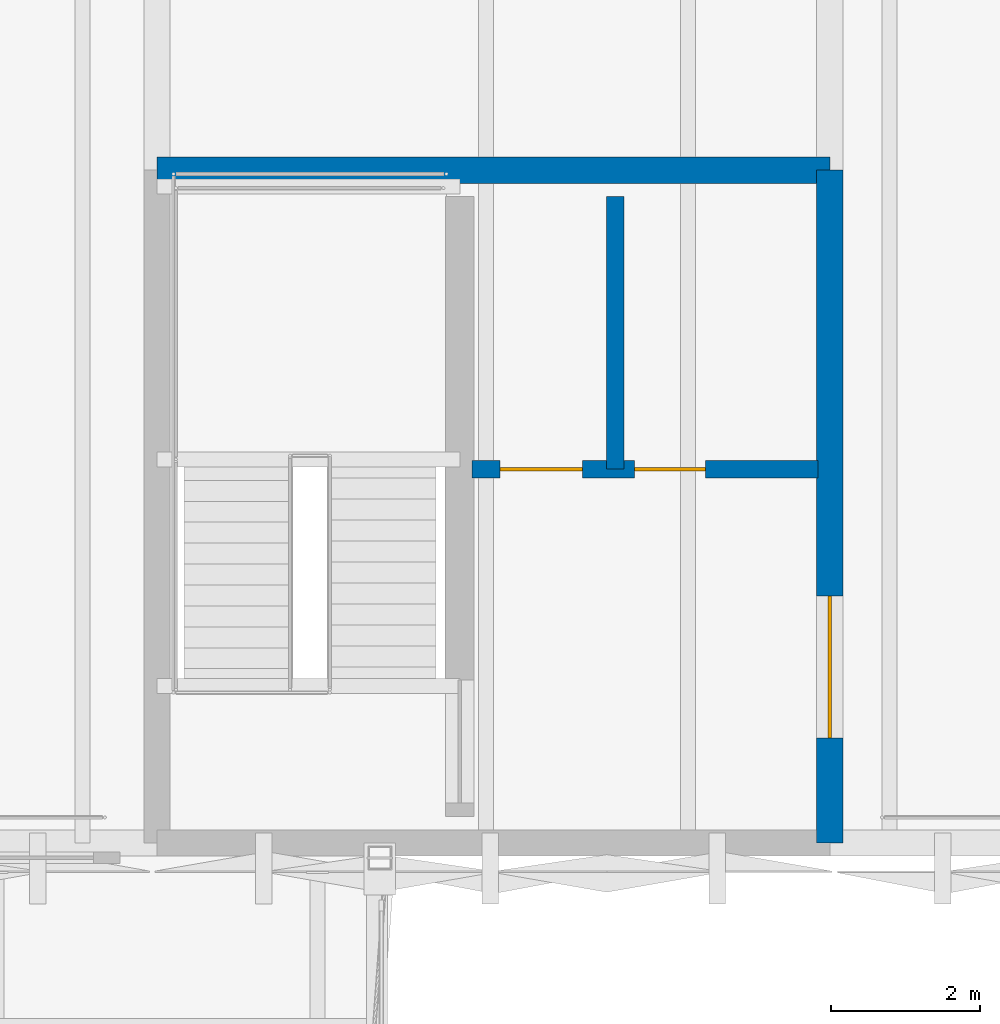
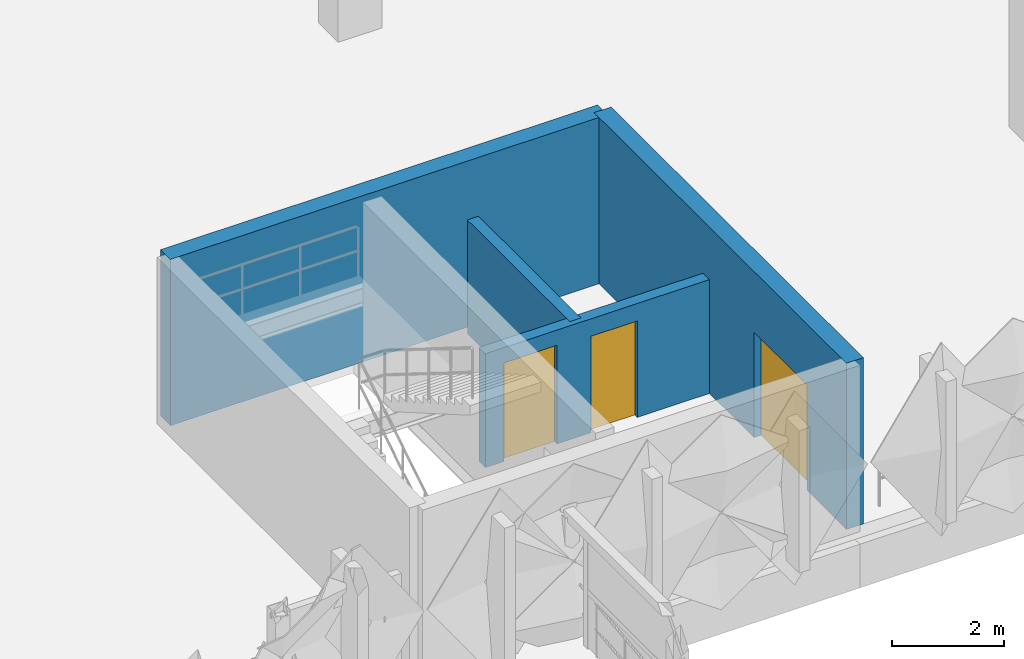
# One storey, part 76 of 123: 4 walls, 3 doors, 3 openings.
"""IFC4 building model written with IfcOpenShell, lengths in metres."""

from ifc_helpers import new_model, si_unit, derived_unit, direction, frame, frame_2d, origin, place, context, subcontext, project, spatial, rectangle, extrude, material, layer, layer_set, type_object, element, fill, save


model = new_model("IFC4")

# Units and contexts
model_context = context("Model", 3, precision=1e-05, world=origin(), true_north=direction((0.0, 1.0)))
body_context = subcontext(model_context, "Body", "Model", "MODEL_VIEW")
ifc_project = project(units=[si_unit("LENGTHUNIT", "METRE"), si_unit("AREAUNIT", "SQUARE_METRE"), si_unit("VOLUMEUNIT", "CUBIC_METRE"), si_unit("PLANEANGLEUNIT", "RADIAN"), si_unit("MASSUNIT", "GRAM", prefix="KILO"), si_unit("THERMODYNAMICTEMPERATUREUNIT", "KELVIN"), derived_unit("THERMALTRANSMITTANCEUNIT", [(si_unit("POWERUNIT", "WATT"), 1), (si_unit("AREAUNIT", "SQUARE_METRE"), -1), (si_unit("THERMODYNAMICTEMPERATUREUNIT", "KELVIN"), -1)])], contexts=[model_context])

# Site, building, storey
site_placement = place(None, origin())
site = spatial("IfcSite", under=ifc_project, at=site_placement, CompositionType="ELEMENT")
building_placement = place(site_placement, origin())
building = spatial("IfcBuilding", under=site, at=building_placement, Name="Haiyu Intermodal Mobility Hub", CompositionType="ELEMENT")
storey_placement = place(building_placement, frame((0.0, 0.0, 5.60009765625)))
storey = spatial("IfcBuildingStorey", under=building, at=storey_placement, Name="L01", CompositionType="ELEMENT", Elevation=5.60009765625)

# Wall
ifc_material_1 = material(Name="Autoclaved aerated concrete block A5.0", Category="concrete")
ifc_layer_1 = layer(ifc_material_1, 0.22998046875)
ifc_layer_set_1 = layer_set([ifc_layer_1], Name="Autoclaved aerated concrete block A5.0")
wall_type_1 = type_object("IfcWallType", Name="WAL-WI01", PredefinedType="PARTITIONING", material=ifc_layer_set_1)
wall_1_placement = place(storey_placement, frame((126.1298828125, 109.0, 0.0), z_axis=(0.0, 0.0, 1.0), x_axis=(0.0, 1.0, 0.0)))
element("IfcWall", 1, at=wall_1_placement, inside=storey, type_object=wall_type_1, Name="WAL-CORE-C6-LSH-L01", PredefinedType="PARTITIONING", context=body_context, shape_type="SweptSolid", body=[
    extrude(rectangle(XDim=3.64990234375, YDim=0.22998046875, at=frame_2d((1.824951171875, 0.0))), origin(), (0.0, 0.0, 1.0), 2.47998046875),
])

# Wall, openings, doors
wall_2_placement = place(storey_placement, frame((124.2099609375, 109.0, 0.0), z_axis=(0.0, 0.0, 1.0), x_axis=(1.0, 0.0, 0.0)))
wall_2 = element("IfcWall", 2, at=wall_2_placement, inside=storey, type_object=wall_type_1, Name="WAL-CORE-C6-LFT-L01", PredefinedType="PARTITIONING", context=body_context, shape_type="SweptSolid", body=[
    extrude(rectangle(XDim=4.630126953125, YDim=0.22998046875, at=frame_2d((2.31494140625, 0.0))), origin(), (0.0, 0.0, 1.0), 2.47998046875),
])
opening_1_placement = place(wall_2_placement, frame((0.3798828125, 0.0, 0.0)))
opening_1 = element("IfcOpeningElement", 3, at=opening_1_placement, cuts=wall_2, Name="Opening LD01", PredefinedType="OPENING", context=body_context, shape_type="SweptSolid", body=[
    extrude(rectangle(XDim=1.10009765625, YDim=2.14990234375, at=frame_2d((0.550048828125, 1.074951171875))), frame((0.0, 0.125, 0.0), z_axis=(0.0, -1.0, 0.0), x_axis=(1.0, 0.0, 0.0)), (0.0, 0.0, 1.0), 0.25),
])
opening_2_placement = place(wall_2_placement, frame((2.179931640625, 0.0, 0.0)))
opening_2 = element("IfcOpeningElement", 4, at=opening_2_placement, cuts=wall_2, Name="Opening DI07", PredefinedType="OPENING", context=body_context, shape_type="SweptSolid", body=[
    extrude(rectangle(XDim=0.949951171875, YDim=2.10009765625, at=frame_2d((0.47509765625, 1.050048828125))), frame((0.0, 0.125, 0.0), z_axis=(0.0, -1.0, 0.0), x_axis=(1.0, 0.0, 0.0)), (0.0, 0.0, 1.0), 0.25),
])
ifc_material_2 = material(Name="Steel Q355C", Category="steel")
door_type_1 = type_object("IfcDoorType", Name="DR-DI07", OperationType="NOTDEFINED", PredefinedType="DOOR", material=ifc_material_2)
door_1_placement = place(opening_2_placement, origin())
door_1 = element("IfcDoor", 5, at=door_1_placement, inside=storey, type_object=door_type_1, Name="Core C6 Accessible WC Door L01", OperationType="SINGLE_SWING_RIGHT", OverallHeight=2.10009765625, OverallWidth=0.949951171875, PredefinedType="DOOR", context=body_context, shape_type="SweptSolid", body=[
    extrude(rectangle(XDim=0.949951171875, YDim=2.10009765625, at=frame_2d((0.47509765625, 1.050048828125))), frame((0.0, 0.02490234375, 0.0), z_axis=(0.0, -1.0, 0.0), x_axis=(1.0, 0.0, 0.0)), (0.0, 0.0, 1.0), 0.050048828125),
])
fill(opening_2, door_1)
door_type_2 = type_object("IfcDoorType", Name="DR-LD01", OperationType="DOUBLE_DOOR_SLIDING", PredefinedType="DOOR", material=ifc_material_2)
door_2_placement = place(opening_1_placement, origin())
door_2 = element("IfcDoor", 6, at=door_2_placement, inside=storey, type_object=door_type_2, Name="Lift FL-03 Sliding Landing Door L01", OperationType="SLIDING_TO_LEFT", OverallHeight=2.14990234375, OverallWidth=1.10009765625, PredefinedType="DOOR", context=body_context, shape_type="SweptSolid", body=[
    extrude(rectangle(XDim=1.10009765625, YDim=2.14990234375, at=frame_2d((0.550048828125, 1.074951171875))), frame((0.0, 0.02490234375, 0.0), z_axis=(0.0, -1.0, 0.0), x_axis=(1.0, 0.0, 0.0)), (0.0, 0.0, 1.0), 0.050048828125),
])
fill(opening_1, door_2)

# Wall, opening, door
ifc_material_3 = material(Name="Concrete C40", Category="concrete")
ifc_layer_2 = layer(ifc_material_3, 0.35009765625)
ifc_layer_set_2 = layer_set([ifc_layer_2], Name="Concrete C40")
wall_type_2 = type_object("IfcWallType", Name="WAL-WS02", PredefinedType="SHEAR", material=ifc_layer_set_2)
wall_3_placement = place(storey_placement, frame((129.0, 104.0, 0.0), z_axis=(0.0, 0.0, 1.0), x_axis=(0.0, 1.0, 0.0)))
wall_3 = element("IfcWall", 7, at=wall_3_placement, inside=storey, type_object=wall_type_2, Name="WAL-CORE-C6-E-L01", PredefinedType="SHEAR", context=body_context, shape_type="SweptSolid", body=[
    extrude(rectangle(XDim=9.0, YDim=0.35009765625, at=frame_2d((4.5, 0.0))), origin(), (0.0, 0.0, 1.0), 3.619873046875),
])
opening_3_placement = place(wall_3_placement, frame((1.39990234375, 0.0, 0.0)))
opening_3 = element("IfcOpeningElement", 8, at=opening_3_placement, cuts=wall_3, Name="Opening DI01", PredefinedType="OPENING", context=body_context, shape_type="SweptSolid", body=[
    extrude(rectangle(XDim=1.89990234375, YDim=2.300048828125, at=frame_2d((0.949951171875, 1.14990234375))), frame((0.0, 0.18505859375, 0.0), z_axis=(0.0, -1.0, 0.0), x_axis=(1.0, 0.0, 0.0)), (0.0, 0.0, 1.0), 0.3701171875),
])
door_type_3 = type_object("IfcDoorType", Name="DR-DI01", OperationType="DOUBLE_DOOR_SINGLE_SWING", PredefinedType="DOOR", material=ifc_material_2)
door_3_placement = place(opening_3_placement, origin())
door_3 = element("IfcDoor", 9, at=door_3_placement, inside=storey, type_object=door_type_3, Name="Core C6 Lobby Fire Door L01", OperationType="SINGLE_SWING_LEFT", OverallHeight=2.300048828125, OverallWidth=1.89990234375, PredefinedType="DOOR", context=body_context, shape_type="SweptSolid", body=[
    extrude(rectangle(XDim=1.89990234375, YDim=2.300048828125, at=frame_2d((0.949951171875, 1.14990234375))), frame((0.0, 0.02490234375, 0.0), z_axis=(0.0, -1.0, 0.0), x_axis=(1.0, 0.0, 0.0)), (0.0, 0.0, 1.0), 0.050048828125),
])
fill(opening_3, door_3)

# Wall
wall_4_placement = place(storey_placement, frame((129.0, 113.0, 0.0), z_axis=(0.0, 0.0, 1.0), x_axis=(-1.0, 0.0, 0.0)))
element("IfcWall", 10, at=wall_4_placement, inside=storey, type_object=wall_type_2, Name="WAL-CORE-C6-N-L01", PredefinedType="SHEAR", context=body_context, shape_type="SweptSolid", body=[
    extrude(rectangle(XDim=9.0, YDim=0.35009765625, at=frame_2d((4.5, 0.0))), origin(), (0.0, 0.0, 1.0), 3.619873046875),
])

save(model, "model.ifc")
